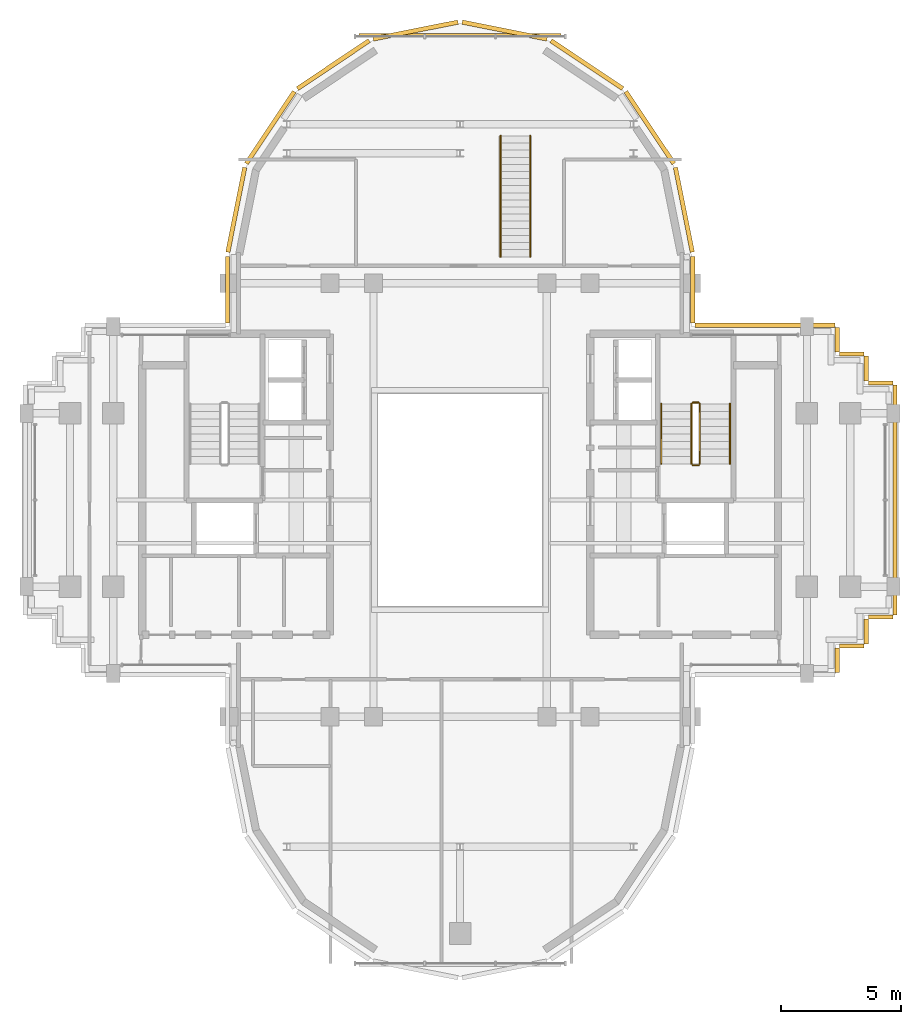
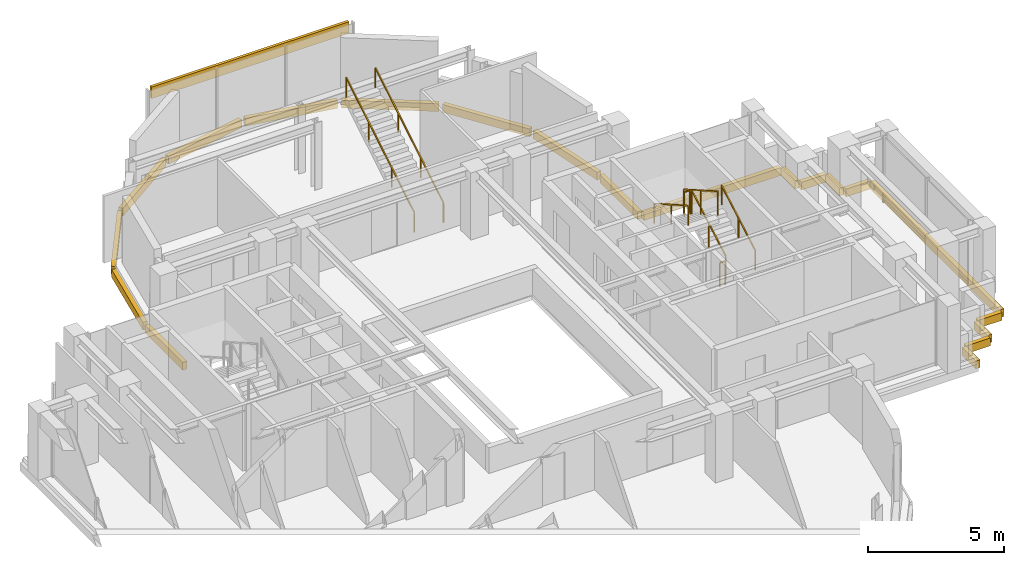
# One storey, part 13 of 13: 21 coverings, 8 railings.
"""IFC4 building model written with IfcOpenShell, lengths in metres."""

from ifc_helpers import new_model, si_unit, direction, frame, origin, origin_2d, place, context, subcontext, project, spatial, rectangle, extrude, source, transform, mapped, material, layer, layer_set, type_object, element, save


model = new_model("IFC4")

# Units and contexts
model_context = context("Model", 3, precision=1e-05, world=origin(), true_north=direction((0.0, 1.0)))
body_context = subcontext(model_context, "Body", "Model", "MODEL_VIEW")
ifc_project = project(units=[si_unit("LENGTHUNIT", "METRE"), si_unit("AREAUNIT", "SQUARE_METRE"), si_unit("VOLUMEUNIT", "CUBIC_METRE"), si_unit("PLANEANGLEUNIT", "RADIAN"), si_unit("MASSUNIT", "GRAM", prefix="KILO")], contexts=[model_context])

# Site, building, storey
site_placement = place(None, origin())
site = spatial("IfcSite", under=ifc_project, at=site_placement, CompositionType="ELEMENT")
building_placement = place(site_placement, origin())
building = spatial("IfcBuilding", under=site, at=building_placement, Name="Keilestroom Media Tower", CompositionType="ELEMENT")
storey_placement = place(building_placement, frame((0.0, 0.0, 230.0)))
storey = spatial("IfcBuildingStorey", under=building, at=storey_placement, Name="L63", CompositionType="ELEMENT", Elevation=230.0)

# Railings
ifc_material_1 = material(Name="Brushed Stainless Steel 1.4301", Category="steel")
railing_type_1 = type_object("IfcRailingType", Name="Stair-Pitch-Handrail-920", PredefinedType="HANDRAIL", material=ifc_material_1)
railing_1_placement = place(storey_placement, frame((11.2099609375, 1.5, 0.177734375)))
element("IfcRailing", 1, at=railing_1_placement, inside=storey, type_object=railing_type_1, Name="L63 ST-2 stair handrail 1", PredefinedType="HANDRAIL", context=body_context, shape_type="SweptSolid", body=[
    extrude(rectangle(XDim=0.048095703125, YDim=0.048095703125, at=origin_2d()), frame((0.0, 0.0, 0.8759765625), z_axis=(0.0, 0.868838684858, 0.495095283449), x_axis=(-1.0, 0.0, 0.0)), (0.0, 0.0, 1.0), 2.872802734375),
    extrude(rectangle(XDim=0.0419921875, YDim=0.0419921875, at=origin_2d()), origin(), (0.0, 0.0, 1.0), 0.84375),
    extrude(rectangle(XDim=0.0419921875, YDim=0.0419921875, at=origin_2d()), frame((0.0, 1.248046875, 0.711181640625)), (0.0, 0.0, 1.0), 0.84375),
    extrude(rectangle(XDim=0.0419921875, YDim=0.0419921875, at=origin_2d()), frame((0.0, 2.49609375, 1.42236328125)), (0.0, 0.0, 1.0), 0.84375),
])
railing_2_placement = place(storey_placement, frame((8.35009765625, 3.99609375, 1.77783203125)))
element("IfcRailing", 2, at=railing_2_placement, inside=storey, type_object=railing_type_1, Name="L63 ST-2 stair handrail 2", PredefinedType="HANDRAIL", context=body_context, shape_type="SweptSolid", body=[
    extrude(rectangle(XDim=0.048095703125, YDim=0.048095703125, at=origin_2d()), frame((0.0, 0.0, 0.8759765625), z_axis=(0.0, -0.868875238982, 0.495031129408), x_axis=(1.0, 0.0, 0.0)), (0.0, 0.0, 1.0), 2.872802734375),
    extrude(rectangle(XDim=0.0419921875, YDim=0.0419921875, at=origin_2d()), origin(), (0.0, 0.0, 1.0), 0.84375),
    extrude(rectangle(XDim=0.0419921875, YDim=0.0419921875, at=origin_2d()), frame((0.0, -1.248046875, 0.7109375)), (0.0, 0.0, 1.0), 0.84375),
    extrude(rectangle(XDim=0.0419921875, YDim=0.0419921875, at=origin_2d()), frame((0.0, -2.49609375, 1.422119140625)), (0.0, 0.0, 1.0), 0.84375),
])
for number, where, name in (
    (3, (1.679931640625, 10.10009765625, 0.0), "ST-F2 Handrail L"),
    (4, (2.919921875, 10.10009765625, 0.0), "ST-F2 Handrail R"),
):
    element("IfcRailing", number, at=place(storey_placement, frame(where)), inside=storey, type_object=railing_type_1, Name=name, PredefinedType="HANDRAIL", context=body_context, shape_type="SweptSolid", body=[
        extrude(rectangle(XDim=0.048095703125, YDim=0.048095703125, at=origin_2d()), frame((0.0, 0.0, 0.89599609375), z_axis=(0.0, 0.856490584426, 0.516162647612), x_axis=(-1.0, 0.0, 0.0)), (0.0, 0.0, 1.0), 5.855224609375),
        extrude(rectangle(XDim=0.0419921875, YDim=0.0419921875, at=origin_2d()), origin(), (0.0, 0.0, 1.0), 0.86376953125),
        extrude(rectangle(XDim=0.0419921875, YDim=0.0419921875, at=origin_2d()), frame((0.0, 1.671630859375, 1.00732421875)), (0.0, 0.0, 1.0), 0.86376953125),
        extrude(rectangle(XDim=0.0419921875, YDim=0.0419921875, at=origin_2d()), frame((0.0, 3.34326171875, 2.014892578125)), (0.0, 0.0, 1.0), 0.86376953125),
        extrude(rectangle(XDim=0.0419921875, YDim=0.0419921875, at=origin_2d()), frame((0.0, 5.014892578125, 3.022216796875)), (0.0, 0.0, 1.0), 0.86376953125),
    ])
ifc_material_2 = material(Name="Painted Steel Balustrade", Category="steel")
railing_type_2 = type_object("IfcRailingType", Name="Stair-Well-And-Landing-Guard-1100", PredefinedType="GUARDRAIL", material=ifc_material_2)
railing_3_placement = place(storey_placement, frame((9.949951171875, 1.5, 0.177734375)))
element("IfcRailing", 5, at=railing_3_placement, inside=storey, type_object=railing_type_2, Name="L63 ST-2 stair guard 1", PredefinedType="GUARDRAIL", context=body_context, shape_type="SweptSolid", body=[
    extrude(rectangle(XDim=0.048095703125, YDim=0.048095703125, at=origin_2d()), frame((0.0, 0.0, 1.076171875), z_axis=(0.0, 0.868838684858, 0.495095283449), x_axis=(-1.0, 0.0, 0.0)), (0.0, 0.0, 1.0), 2.872802734375),
    extrude(rectangle(XDim=0.0419921875, YDim=0.0419921875, at=origin_2d()), origin(), (0.0, 0.0, 1.0), 1.0439453125),
    extrude(rectangle(XDim=0.0419921875, YDim=0.0419921875, at=origin_2d()), frame((0.0, 1.248046875, 0.711181640625)), (0.0, 0.0, 1.0), 1.0439453125),
    extrude(rectangle(XDim=0.0419921875, YDim=0.0419921875, at=origin_2d()), frame((0.0, 2.49609375, 1.42236328125)), (0.0, 0.0, 1.0), 1.0439453125),
])
railing_4_placement = place(storey_placement, frame((9.89990234375, 4.0458984375, 1.60009765625)))
element("IfcRailing", 6, at=railing_4_placement, inside=storey, type_object=railing_type_2, Name="L63 ST-2 stair guard 2", PredefinedType="GUARDRAIL", context=body_context, shape_type="SweptSolid", body=[
    extrude(rectangle(XDim=0.048095703125, YDim=0.048095703125, at=origin_2d()), frame((0.0, 0.0, 1.076171875), z_axis=(-1.0, 0.0, 0.0), x_axis=(0.0, -1.0, 0.0)), (0.0, 0.0, 1.0), 0.239990234375),
    extrude(rectangle(XDim=0.0419921875, YDim=0.0419921875, at=origin_2d()), origin(), (0.0, 0.0, 1.0), 1.0439453125),
    extrude(rectangle(XDim=0.0419921875, YDim=0.0419921875, at=origin_2d()), frame((-0.239990234375, 0.0, 0.0)), (0.0, 0.0, 1.0), 1.0439453125),
])
railing_5_placement = place(storey_placement, frame((9.610107421875, 3.99609375, 1.77783203125)))
element("IfcRailing", 7, at=railing_5_placement, inside=storey, type_object=railing_type_2, Name="L63 ST-2 stair guard 3", PredefinedType="GUARDRAIL", context=body_context, shape_type="SweptSolid", body=[
    extrude(rectangle(XDim=0.048095703125, YDim=0.048095703125, at=origin_2d()), frame((0.0, 0.0, 1.076171875), z_axis=(0.0, -0.868875238982, 0.495031129408), x_axis=(1.0, 0.0, 0.0)), (0.0, 0.0, 1.0), 2.872802734375),
    extrude(rectangle(XDim=0.0419921875, YDim=0.0419921875, at=origin_2d()), origin(), (0.0, 0.0, 1.0), 1.0439453125),
    extrude(rectangle(XDim=0.0419921875, YDim=0.0419921875, at=origin_2d()), frame((0.0, -1.248046875, 0.7109375)), (0.0, 0.0, 1.0), 1.0439453125),
    extrude(rectangle(XDim=0.0419921875, YDim=0.0419921875, at=origin_2d()), frame((0.0, -2.49609375, 1.422119140625)), (0.0, 0.0, 1.0), 1.0439453125),
])
railing_6_placement = place(storey_placement, frame((9.89990234375, 1.449951171875, 0.0)))
element("IfcRailing", 8, at=railing_6_placement, inside=storey, type_object=railing_type_2, Name="L63 ST-2 stair guard 4", PredefinedType="GUARDRAIL", context=body_context, shape_type="SweptSolid", body=[
    extrude(rectangle(XDim=0.048095703125, YDim=0.048095703125, at=origin_2d()), frame((0.0, 0.0, 1.076171875), z_axis=(-1.0, 0.0, 0.0), x_axis=(0.0, -1.0, 0.0)), (0.0, 0.0, 1.0), 0.239990234375),
    extrude(rectangle(XDim=0.0419921875, YDim=0.0419921875, at=origin_2d()), origin(), (0.0, 0.0, 1.0), 1.0439453125),
    extrude(rectangle(XDim=0.0419921875, YDim=0.0419921875, at=origin_2d()), frame((-0.239990234375, 0.0, 0.0)), (0.0, 0.0, 1.0), 1.0439453125),
])

# Coverings
ifc_material_3 = material(Name="Precast concrete C40/50", Category="concrete")
ifc_layer = layer(ifc_material_3, 0.1201171875)
ifc_layer_set = layer_set([ifc_layer], Name="Precast concrete C40/50")
covering_type = type_object("IfcCoveringType", Name="Exterior-Precast-Spandrel-Cladding-Panel-120", PredefinedType="CLADDING", material=ifc_layer_set)
shared_shape_1 = source(origin(), body_context, "Body", "SweptSolid", [
    extrude(rectangle(XDim=8.39990234375, YDim=0.1201171875, at=origin_2d()), origin(), (0.0, 0.0, 1.0), 0.52001953125),
])
covering_1_placement = place(storey_placement, frame((0.0, 19.320068359375, 2.5), z_axis=(0.0, 0.0, 1.0), x_axis=(1.0, 0.0, 0.0)))
element("IfcCovering", 9, at=covering_1_placement, inside=storey, type_object=covering_type, Name="L63 Precast Spandrel Cladding N", PredefinedType="CLADDING", context=body_context, shape_type="MappedRepresentation", body=[
    mapped(shared_shape_1, transform((0.0, 0.0, 0.0), x_axis=(1.0, 0.0, 0.0), y_axis=(0.0, 1.0, 0.0), z_axis=(0.0, 0.0, 1.0), scale=1.0)),
])
shared_shape_2 = source(origin(), body_context, "Body", "SweptSolid", [
    extrude(rectangle(XDim=1.02001953125, YDim=0.179931640625, at=origin_2d()), origin(), (0.0, 0.0, 1.0), 0.35009765625),
])
for number, where, z_axis, x_axis, name in (
    (10, (17.4599609375, -4.860107421875, -0.530029296875), (0.0, 0.0, 1.0), (-1.0, 0.0, 0.0), "L63 Precast Slab-Edge Fascia Cornice 01"),
    (11, (16.860107421875, -5.4599609375, -0.530029296875), (0.0, 0.0, 1.0), (0.0, -1.0, 0.0), "L63 Precast Slab-Edge Fascia Cornice 02"),
    (12, (16.260009765625, -6.06005859375, -0.530029296875), (0.0, 0.0, 1.0), (-1.0, 0.0, 0.0), "L63 Precast Slab-Edge Fascia Cornice 03"),
    (13, (15.659912109375, -6.659912109375, -0.530029296875), (0.0, 0.0, 1.0), (0.0, -1.0, 0.0), "L63 Precast Slab-Edge Fascia Cornice 04"),
    (14, (15.659912109375, 6.659912109375, -0.530029296875), (0.0, 0.0, 1.0), (0.0, -1.0, 0.0), "L63 Precast Slab-Edge Fascia Cornice 38"),
    (15, (16.260009765625, 6.06005859375, -0.530029296875), (0.0, 0.0, 1.0), (1.0, 0.0, 0.0), "L63 Precast Slab-Edge Fascia Cornice 39"),
    (16, (16.860107421875, 5.4599609375, -0.530029296875), (0.0, 0.0, 1.0), (0.0, -1.0, 0.0), "L63 Precast Slab-Edge Fascia Cornice 40"),
    (17, (17.4599609375, 4.860107421875, -0.530029296875), (0.0, 0.0, 1.0), (1.0, 0.0, 0.0), "L63 Precast Slab-Edge Fascia Cornice 41"),
):
    element("IfcCovering", number, at=place(storey_placement, frame(where, z_axis=z_axis, x_axis=x_axis)), inside=storey, type_object=covering_type, Name=name, PredefinedType="CLADDING", context=body_context, shape_type="MappedRepresentation", body=[
        mapped(shared_shape_2, transform((0.0, 0.0, 0.0), x_axis=(1.0, 0.0, 0.0), y_axis=(0.0, 1.0, 0.0), z_axis=(0.0, 0.0, 1.0), scale=1.0)),
    ])
shared_shape_3 = source(origin(), body_context, "Body", "SweptSolid", [
    extrude(rectangle(XDim=5.820068359375, YDim=0.179931640625, at=origin_2d()), origin(), (0.0, 0.0, 1.0), 0.35009765625),
])
covering_2_placement = place(storey_placement, frame((12.659912109375, 7.260009765625, -0.530029296875), z_axis=(0.0, 0.0, 1.0), x_axis=(1.0, 0.0, 0.0)))
element("IfcCovering", 18, at=covering_2_placement, inside=storey, type_object=covering_type, Name="L63 Precast Slab-Edge Fascia Cornice 37", PredefinedType="CLADDING", context=body_context, shape_type="MappedRepresentation", body=[
    mapped(shared_shape_3, transform((0.0, 0.0, 0.0), x_axis=(1.0, 0.0, 0.0), y_axis=(0.0, 1.0, 0.0), z_axis=(0.0, 0.0, 1.0), scale=1.0)),
])
shared_shape_4 = source(origin(), body_context, "Body", "SweptSolid", [
    extrude(rectangle(XDim=2.765869140625, YDim=0.179931640625, at=origin_2d()), origin(), (0.0, 0.0, 1.0), 0.35009765625),
])
for number, where, z_axis, x_axis, name in (
    (19, (-9.659912109375, 8.73291015625, -0.530029296875), (0.0, 0.0, 1.0), (0.0, 1.0, 0.0), "L63 Precast Slab-Edge Fascia Cornice 27"),
    (20, (9.659912109375, 8.73291015625, -0.530029296875), (0.0, 0.0, 1.0), (0.0, -1.0, 0.0), "L63 Precast Slab-Edge Fascia Cornice 36"),
):
    element("IfcCovering", number, at=place(storey_placement, frame(where, z_axis=z_axis, x_axis=x_axis)), inside=storey, type_object=covering_type, Name=name, PredefinedType="CLADDING", context=body_context, shape_type="MappedRepresentation", body=[
        mapped(shared_shape_4, transform((0.0, 0.0, 0.0), x_axis=(1.0, 0.0, 0.0), y_axis=(0.0, 1.0, 0.0), z_axis=(0.0, 0.0, 1.0), scale=1.0)),
    ])
shared_shape_5 = source(origin(), body_context, "Body", "SweptSolid", [
    extrude(rectangle(XDim=3.58349609375, YDim=0.179931640625, at=origin_2d()), origin(), (0.0, 0.0, 1.0), 0.35009765625),
])
for number, where, z_axis, x_axis, name in (
    (21, (-9.29296875, 12.051513671875, -0.530029296875), (0.0, 0.0, 1.0), (0.195098880975, 0.980783577882, 0.0), "L63 Precast Slab-Edge Fascia Cornice 28"),
    (22, (9.29296875, 12.051513671875, -0.530029296875), (0.0, 0.0, 1.0), (0.195098880975, -0.980783577882, 0.0), "L63 Precast Slab-Edge Fascia Cornice 35"),
):
    element("IfcCovering", number, at=place(storey_placement, frame(where, z_axis=z_axis, x_axis=x_axis)), inside=storey, type_object=covering_type, Name=name, PredefinedType="CLADDING", context=body_context, shape_type="MappedRepresentation", body=[
        mapped(shared_shape_5, transform((0.0, 0.0, 0.0), x_axis=(1.0, 0.0, 0.0), y_axis=(0.0, 1.0, 0.0), z_axis=(0.0, 0.0, 1.0), scale=1.0)),
    ])
shared_shape_6 = source(origin(), body_context, "Body", "SweptSolid", [
    extrude(rectangle(XDim=3.589599609375, YDim=0.179931640625, at=origin_2d()), origin(), (0.0, 0.0, 1.0), 0.35009765625),
])
for number, where, z_axis, x_axis, name in (
    (23, (-7.878662109375, 15.46435546875, -0.530029296875), (0.0, 0.0, 1.0), (0.555574586577, 0.831466703332, 0.0), "L63 Precast Slab-Edge Fascia Cornice 29"),
    (24, (-5.264404296875, 18.07861328125, -0.530029296875), (0.0, 0.0, 1.0), (0.831466703332, 0.555574586577, 0.0), "L63 Precast Slab-Edge Fascia Cornice 30"),
    (25, (-1.8486328125, 19.493408203125, -0.530029296875), (0.0, 0.0, 1.0), (0.980783577882, 0.195098880975, 0.0), "L63 Precast Slab-Edge Fascia Cornice 31"),
    (26, (1.8486328125, 19.493408203125, -0.530029296875), (0.0, 0.0, 1.0), (0.980783577882, -0.195098880975, 0.0), "L63 Precast Slab-Edge Fascia Cornice 32"),
    (27, (5.264404296875, 18.07861328125, -0.530029296875), (0.0, 0.0, 1.0), (0.831466703332, -0.555574586577, 0.0), "L63 Precast Slab-Edge Fascia Cornice 33"),
    (28, (7.878662109375, 15.46435546875, -0.530029296875), (0.0, 0.0, 1.0), (0.555574586577, -0.831466703332, 0.0), "L63 Precast Slab-Edge Fascia Cornice 34"),
):
    element("IfcCovering", number, at=place(storey_placement, frame(where, z_axis=z_axis, x_axis=x_axis)), inside=storey, type_object=covering_type, Name=name, PredefinedType="CLADDING", context=body_context, shape_type="MappedRepresentation", body=[
        mapped(shared_shape_6, transform((0.0, 0.0, 0.0), x_axis=(1.0, 0.0, 0.0), y_axis=(0.0, 1.0, 0.0), z_axis=(0.0, 0.0, 1.0), scale=1.0)),
    ])
shared_shape_7 = source(origin(), body_context, "Body", "SweptSolid", [
    extrude(rectangle(XDim=9.5400390625, YDim=0.179931640625, at=origin_2d()), origin(), (0.0, 0.0, 1.0), 0.35009765625),
])
covering_3_placement = place(storey_placement, frame((18.06005859375, 0.0, -0.530029296875), z_axis=(0.0, 0.0, 1.0), x_axis=(0.0, -1.0, 0.0)))
element("IfcCovering", 29, at=covering_3_placement, inside=storey, type_object=covering_type, Name="L63 Precast Slab-Edge Fascia Cornice 42", PredefinedType="CLADDING", context=body_context, shape_type="MappedRepresentation", body=[
    mapped(shared_shape_7, transform((0.0, 0.0, 0.0), x_axis=(1.0, 0.0, 0.0), y_axis=(0.0, 1.0, 0.0), z_axis=(0.0, 0.0, 1.0), scale=1.0)),
])

save(model, "model.ifc")
